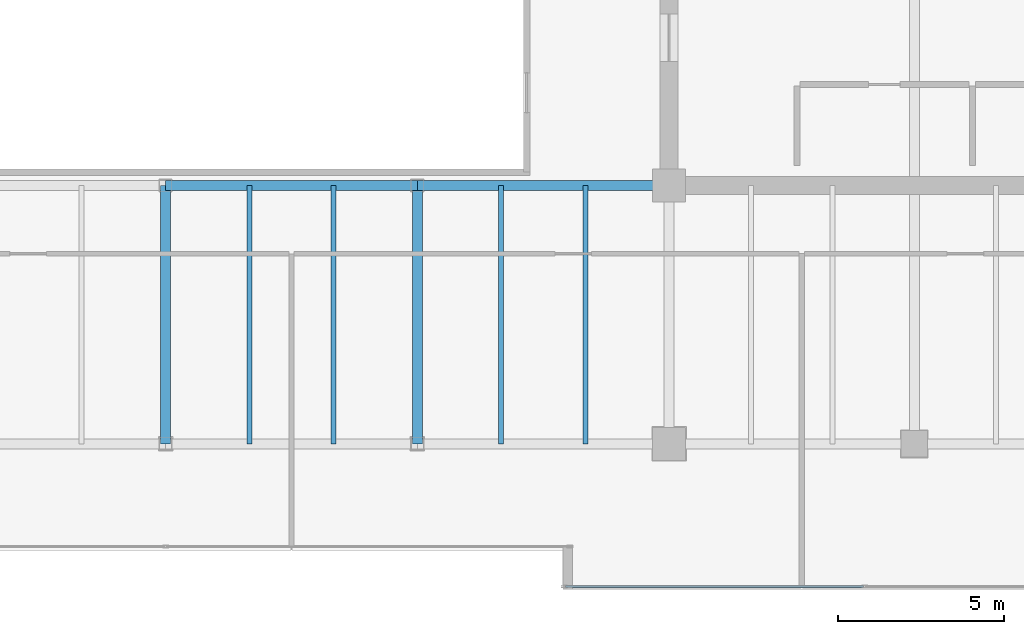
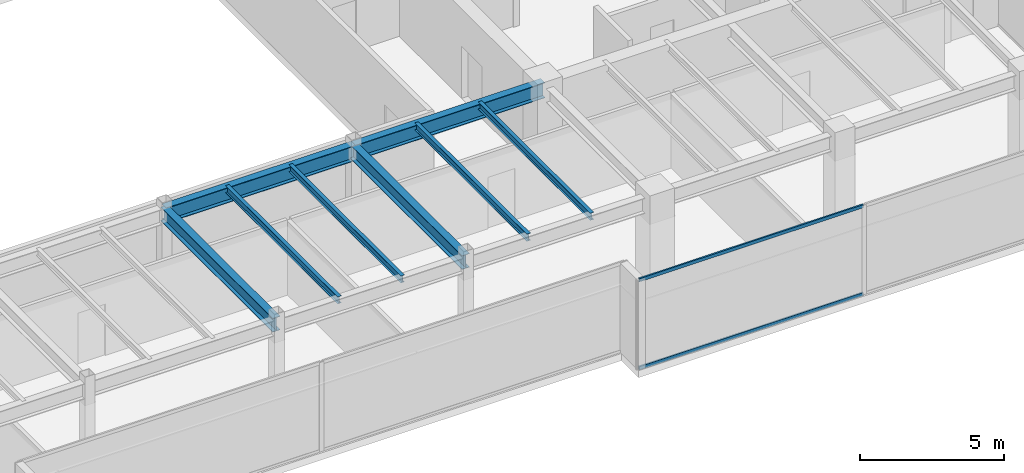
# One storey, part 12 of 35: 8 beams, 2 members, 1 element without a shape of its own.
"""IFC4 building model written with IfcOpenShell, lengths in metres."""

import ifcopenshell
import ifcopenshell.guid

model = None  # the IFC model being written
_history = None  # IfcOwnerHistory: only IFC2X3 demands one
_inside = {}  # id of a spatial element -> (the spatial element, [elements in it])
_under = {}  # id of a project, library or spatial element -> (it, [spatial elements below it])
_declared = {}  # id of a project -> (the project, [libraries it declares])
_typed = {}  # id of a type object -> (the type object, [elements of that type])
_made_of = {}  # id of a material, layer set ... -> (it, [elements and type objects made of it])


def new_model(schema):
    """Start an empty IFC model of exactly this schema.

    Asked for "IFC4X3", IfcOpenShell would pick the latest addendum, in which some entities
    have other attributes; the version numbers below select the first issue.
    IFC2X3 requires an IfcOwnerHistory on every rooted entity: one is made here for all.
    """
    global model, _history
    if schema == "IFC4X3":
        model = ifcopenshell.file(schema_version=(4, 3, 0, 0))
    else:
        model = ifcopenshell.file(schema=schema)
    _inside.clear()
    _under.clear()
    _declared.clear()
    _typed.clear()
    _made_of.clear()
    _history = None
    if model.schema == "IFC2X3":
        org = make("IfcOrganization", Name="unknown")
        user = make(
            "IfcPersonAndOrganization",
            ThePerson=make("IfcPerson", FamilyName="unknown"),
            TheOrganization=org,
        )
        app = make(
            "IfcApplication",
            ApplicationDeveloper=org,
            Version="unknown",
            ApplicationFullName="unknown",
            ApplicationIdentifier="unknown",
        )
        _history = make(
            "IfcOwnerHistory",
            OwningUser=user,
            OwningApplication=app,
            ChangeAction="ADDED",
            CreationDate=0,
        )
    return model


def make(cls, **values):
    """One entity of the class cls with the attributes given. An attribute that is None is left unset."""
    return model.create_entity(
        cls, **{name: value for name, value in values.items() if value is not None}
    )


def rooted(cls, **values):
    """An entity with a GlobalId (a new one), such as an element, a storey or a relation."""
    return make(cls, GlobalId=ifcopenshell.guid.new(), OwnerHistory=_history, **values)


def si_unit(unit_type, name, prefix=None):
    """IfcSIUnit, for example si_unit("LENGTHUNIT", "METRE", prefix="MILLI")."""
    return make("IfcSIUnit", UnitType=unit_type, Prefix=prefix, Name=name)


def assignment(units):
    """IfcUnitAssignment: the units of a project."""
    return None if units is None else make("IfcUnitAssignment", Units=units)


def point(xyz):
    """IfcCartesianPoint."""
    return None if xyz is None else make("IfcCartesianPoint", Coordinates=xyz)


def direction(xyz):
    """IfcDirection."""
    return None if xyz is None else make("IfcDirection", DirectionRatios=xyz)


def frame(location, z_axis=None, x_axis=None):
    """IfcAxis2Placement3D, a coordinate frame: its origin and axes. An axis left out is left unset."""
    return make(
        "IfcAxis2Placement3D",
        Location=point(location),
        Axis=direction(z_axis),
        RefDirection=direction(x_axis),
    )


def frame_2d(location, x_axis=None):
    """IfcAxis2Placement2D, a coordinate frame in the plane: its origin and x axis."""
    return make(
        "IfcAxis2Placement2D", Location=point(location), RefDirection=direction(x_axis)
    )


def origin():
    """The frame at (0, 0, 0) with its axes left unset."""
    return frame((0.0, 0.0, 0.0))


def origin_2d():
    """The frame at (0, 0) in the plane with its x axis left unset."""
    return frame_2d((0.0, 0.0))


def place(relative_to, where):
    """IfcLocalPlacement: puts the frame where relative to a parent placement (None: the world)."""
    return make(
        "IfcLocalPlacement", PlacementRelTo=relative_to, RelativePlacement=where
    )


def context(
    kind, dimensions, precision=None, world=None, true_north=None, identifier=None
):
    """IfcGeometricRepresentationContext, for example the 3D "Model" context."""
    return make(
        "IfcGeometricRepresentationContext",
        ContextIdentifier=identifier,
        ContextType=kind,
        CoordinateSpaceDimension=dimensions,
        Precision=precision,
        WorldCoordinateSystem=world,
        TrueNorth=true_north,
    )


def subcontext(parent, identifier, kind, view, scale=None):
    """IfcGeometricRepresentationSubContext, for example "Body" below "Model"."""
    return make(
        "IfcGeometricRepresentationSubContext",
        ContextIdentifier=identifier,
        ContextType=kind,
        ParentContext=parent,
        TargetScale=scale,
        TargetView=view,
    )


def project(units=None, contexts=None):
    """IfcProject with its units and contexts."""
    return rooted(
        "IfcProject",
        Name="project",
        RepresentationContexts=contexts,
        UnitsInContext=assignment(units),
    )


def spatial(cls, under=None, at=None, **own):
    """A site, building, storey or space (cls), placed at a placement, below another one or the project."""
    s = rooted(cls, ObjectPlacement=at, **own)
    if under is not None:
        _under.setdefault(under.id(), (under, []))[1].append(s)
    return s


def profile(cls, at=None, kind="AREA", **sizes):
    """A parametric profile (cls). Its sizes go by their IFC names, for example OverallWidth=200.0."""
    return make(cls, ProfileType=kind, Position=at, **sizes)


def hollow_rectangle(**sizes):
    """IfcRectangleHollowProfileDef."""
    return profile("IfcRectangleHollowProfileDef", **sizes)


def i_section(**sizes):
    """IfcIShapeProfileDef."""
    return profile("IfcIShapeProfileDef", **sizes)


def extrude(swept, where, along, depth):
    """IfcExtrudedAreaSolid: the profile swept, set in the frame where, extruded along a direction by depth."""
    return make(
        "IfcExtrudedAreaSolid",
        SweptArea=swept,
        Position=where,
        ExtrudedDirection=direction(along),
        Depth=depth,
    )


def shape(context_of_items, identifier, shape_type, items):
    """IfcShapeRepresentation: the items that make up one representation, for example the "Body"."""
    return make(
        "IfcShapeRepresentation",
        ContextOfItems=context_of_items,
        RepresentationIdentifier=identifier,
        RepresentationType=shape_type,
        Items=items,
    )


def source(mapping_origin, context_of_items, identifier, shape_type, items):
    """IfcRepresentationMap: a shape defined once, which mapped items show again and again."""
    return make(
        "IfcRepresentationMap",
        MappingOrigin=mapping_origin,
        MappedRepresentation=shape(context_of_items, identifier, shape_type, items),
    )


def transform(
    local_origin,
    x_axis=None,
    y_axis=None,
    z_axis=None,
    scale=None,
    scale2=None,
    scale3=None,
    uniform=True,
):
    """IfcCartesianTransformationOperator3D, or its non-uniform kind. x_axis, y_axis, z_axis: its Axis1, 2, 3."""
    if uniform:
        return make(
            "IfcCartesianTransformationOperator3D",
            Axis1=direction(x_axis),
            Axis2=direction(y_axis),
            LocalOrigin=point(local_origin),
            Scale=scale,
            Axis3=direction(z_axis),
        )
    return make(
        "IfcCartesianTransformationOperator3DnonUniform",
        Axis1=direction(x_axis),
        Axis2=direction(y_axis),
        LocalOrigin=point(local_origin),
        Scale=scale,
        Axis3=direction(z_axis),
        Scale2=scale2,
        Scale3=scale3,
    )


def mapped(mapping_source, mapping_target):
    """IfcMappedItem: shows the shape of a source again, moved by a transform."""
    return make(
        "IfcMappedItem", MappingSource=mapping_source, MappingTarget=mapping_target
    )


def material(Name=None, Category=None):
    """IfcMaterial."""
    return make("IfcMaterial", Name=Name, Category=Category)


def layer(
    of_material, thickness, ventilated=None, Name=None, Category=None, Priority=None
):
    """IfcMaterialLayer: one layer of a wall or slab, of a material (None: an air gap)."""
    return make(
        "IfcMaterialLayer",
        Material=of_material,
        LayerThickness=thickness,
        IsVentilated=ventilated,
        Name=Name,
        Category=Category,
        Priority=Priority,
    )


def layer_set(layers, Name=None):
    """IfcMaterialLayerSet."""
    return make("IfcMaterialLayerSet", MaterialLayers=layers, LayerSetName=Name)


def material_profile(
    of_material, cross_section, Name=None, Category=None, Priority=None
):
    """IfcMaterialProfile: a cross section and its material."""
    return make(
        "IfcMaterialProfile",
        Name=Name,
        Material=of_material,
        Profile=cross_section,
        Priority=Priority,
        Category=Category,
    )


def profile_set(profiles, Name=None, composite=None):
    """IfcMaterialProfileSet."""
    return make(
        "IfcMaterialProfileSet",
        Name=Name,
        MaterialProfiles=profiles,
        CompositeProfile=composite,
    )


def made_of(thing, what):
    """Note that an element or type object is made of a material, layer set ...; save() writes the relation."""
    if what is not None:
        _made_of.setdefault(what.id(), (what, []))[1].append(thing)
    return thing


def type_object(cls, material=None, **own):
    """A type object (cls), such as IfcWallType, which elements share."""
    return made_of(rooted(cls, **own), material)


def type_shapes(of_type, sources):
    """Give a type object the sources (RepresentationMaps) that its elements show as mapped items."""
    of_type.RepresentationMaps = sources


def element(
    cls,
    number,
    at=None,
    inside=None,
    cuts=None,
    type_object=None,
    material=None,
    context=None,
    identifier="Body",
    shape_type=None,
    held_by="IfcProductDefinitionShape",
    body=None,
    shapes=None,
    **own,
):
    """One element of the class cls, such as IfcWall. Its Tag is "e" and its number.

    at: its placement. inside: the storey or other place that contains it. cuts: it is an
    opening in that element (IfcRelVoidsElement). A single representation is given by context,
    identifier, shape_type and body (its items); several are given by shapes. held_by: the class
    of the entity that holds the representations. save() writes the other relations.
    """
    e = rooted(cls, Tag="e%d" % number, ObjectPlacement=at, **own)
    if body is not None:
        shapes = [shape(context, identifier, shape_type, body)]
    if shapes is not None:
        e.Representation = make(held_by, Representations=shapes)
    if inside is not None:
        _inside.setdefault(inside.id(), (inside, []))[1].append(e)
    if cuts is not None:
        rooted(
            "IfcRelVoidsElement", RelatingBuildingElement=cuts, RelatedOpeningElement=e
        )
    if type_object is not None:
        _typed.setdefault(type_object.id(), (type_object, []))[1].append(e)
    return made_of(e, material)


def aggregate(whole, parts):
    """IfcRelAggregates: a whole, such as a stair, and the parts it consists of."""
    return rooted("IfcRelAggregates", RelatingObject=whole, RelatedObjects=parts)


def save(model, path):
    """Write the relations noted so far, then the file.

    IfcRelAggregates (storeys below a building ...), IfcRelContainedInSpatialStructure (elements
    in a storey), IfcRelDefinesByType, IfcRelAssociatesMaterial and IfcRelDeclares: one each for
    every whole, place, type object, material and project.
    """
    for whole, parts in _under.values():
        aggregate(whole, parts)
    for where, things in _inside.values():
        rooted(
            "IfcRelContainedInSpatialStructure",
            RelatedElements=things,
            RelatingStructure=where,
        )
    for kind, things in _typed.values():
        rooted("IfcRelDefinesByType", RelatedObjects=things, RelatingType=kind)
    for what, things in _made_of.values():
        rooted("IfcRelAssociatesMaterial", RelatedObjects=things, RelatingMaterial=what)
    for by, libraries in _declared.values():
        rooted("IfcRelDeclares", RelatingContext=by, RelatedDefinitions=libraries)
    model.write(path)


model = new_model("IFC4")

# Units and contexts
model_context = context("Model", 3, precision=1e-05, world=origin(), true_north=direction((0.0, 1.0)))
body_context = subcontext(model_context, "Body", "Model", "MODEL_VIEW")
ifc_project = project(units=[si_unit("LENGTHUNIT", "METRE"), si_unit("AREAUNIT", "SQUARE_METRE"), si_unit("VOLUMEUNIT", "CUBIC_METRE"), si_unit("PLANEANGLEUNIT", "RADIAN"), si_unit("MASSUNIT", "GRAM", prefix="KILO")], contexts=[model_context])

# Site, building, storey
site_placement = place(None, origin())
site = spatial("IfcSite", under=ifc_project, at=site_placement, CompositionType="ELEMENT")
building_placement = place(site_placement, origin())
building = spatial("IfcBuilding", under=site, at=building_placement, Name="Haelvirn Gate Laboratories", CompositionType="ELEMENT")
storey_placement = place(building_placement, frame((0.0, 0.0, 221.89990234375)))
storey = spatial("IfcBuildingStorey", under=building, at=storey_placement, Name="L53", CompositionType="ELEMENT", Elevation=221.89990234375)

# Beams
ifc_material_1 = material(Name="Steel SM355", Category="steel")
ifc_material_profile_1 = material_profile(ifc_material_1, i_section(OverallWidth=0.14990234375, OverallDepth=0.300048828125, WebThickness=0.006591796875, FlangeThickness=0.009033203125, at=origin_2d()), Name="H-300x150x6.5x9")
ifc_profile_set_1 = profile_set([ifc_material_profile_1], Name="Steel SM355")
beam_type_1 = type_object("IfcBeamType", Name="BM-J-300", PredefinedType="JOIST", material=ifc_profile_set_1)
shared_shape_1 = source(origin(), body_context, "Body", "SweptSolid", [
    extrude(i_section(OverallWidth=0.14990234375, OverallDepth=0.300048828125, WebThickness=0.006591796875, FlangeThickness=0.009033203125, at=origin_2d()), origin(), (0.0, 0.0, 1.0), 7.800048828125),
])
type_shapes(beam_type_1, [shared_shape_1])
for number, where, z_axis, x_axis, name in (
    (1, (39.929931640625, 7.0, 3.650146484375), (0.0, 1.0, 0.0), (-1.0, 0.0, 0.0), "L53 Composite Lab Joist South X39.93"),
    (2, (42.469970703125, 7.0, 3.650146484375), (0.0, 1.0, 0.0), (-1.0, 0.0, 0.0), "L53 Composite Lab Joist South X42.47"),
    (3, (47.530029296875, 7.0, 3.650146484375), (0.0, 1.0, 0.0), (-1.0, 0.0, 0.0), "L53 Composite Lab Joist South X47.53"),
    (4, (50.070068359375, 7.0, 3.650146484375), (0.0, 1.0, 0.0), (-1.0, 0.0, 0.0), "L53 Composite Lab Joist South X50.07"),
):
    element("IfcBeam", number, at=place(storey_placement, frame(where, z_axis=z_axis, x_axis=x_axis)), inside=storey, type_object=beam_type_1, Name=name, PredefinedType="JOIST", context=body_context, shape_type="MappedRepresentation", body=[
        mapped(shared_shape_1, transform((0.0, 0.0, 0.0), scale=1.0)),
    ])
ifc_material_profile_2 = material_profile(ifc_material_1, i_section(OverallWidth=0.300048828125, OverallDepth=0.587890625, WebThickness=0.011962890625, FlangeThickness=0.02001953125, at=origin_2d()), Name="H-588x300x12x20")
ifc_profile_set_2 = profile_set([ifc_material_profile_2], Name="Steel SM355")
beam_type_2 = type_object("IfcBeamType", Name="BM-G-588", PredefinedType="BEAM", material=ifc_profile_set_2)
shared_shape_2 = source(origin(), body_context, "Body", "SweptSolid", [
    extrude(i_section(OverallWidth=0.300048828125, OverallDepth=0.587890625, WebThickness=0.011962890625, FlangeThickness=0.02001953125, at=origin_2d()), origin(), (0.0, 0.0, 1.0), 7.800048828125),
])
type_shapes(beam_type_2, [shared_shape_2])
for number, where, z_axis, x_axis, name in (
    (5, (37.39990234375, 7.0, 3.506103515625), (0.0, 1.0, 0.0), (-1.0, 0.0, 0.0), "L53 Frame Girder X37.4 (7.0-14.8)"),
    (6, (45.0, 7.0, 3.506103515625), (0.0, 1.0, 0.0), (-1.0, 0.0, 0.0), "L53 Frame Girder X45.0 (7.0-14.8)"),
):
    element("IfcBeam", number, at=place(storey_placement, frame(where, z_axis=z_axis, x_axis=x_axis)), inside=storey, type_object=beam_type_2, Name=name, PredefinedType="BEAM", context=body_context, shape_type="MappedRepresentation", body=[
        mapped(shared_shape_2, transform((0.0, 0.0, 0.0), scale=1.0)),
    ])
ifc_material_profile_3 = material_profile(ifc_material_1, i_section(OverallWidth=0.300048828125, OverallDepth=0.64990234375, WebThickness=0.012939453125, FlangeThickness=0.02197265625, at=origin_2d()), Name="H-650x300x13x22")
ifc_profile_set_3 = profile_set([ifc_material_profile_3], Name="Steel SM355")
beam_type_3 = type_object("IfcBeamType", Name="BM-G-650", PredefinedType="BEAM", material=ifc_profile_set_3)
shared_shape_3 = source(origin(), body_context, "Body", "SweptSolid", [
    extrude(i_section(OverallWidth=0.300048828125, OverallDepth=0.64990234375, WebThickness=0.012939453125, FlangeThickness=0.02197265625, at=origin_2d()), origin(), (0.0, 0.0, 1.0), 7.60009765625),
])
type_shapes(beam_type_3, [shared_shape_3])
for number, where, z_axis, x_axis, name in (
    (7, (37.39990234375, 14.800048828125, 3.47509765625), (1.0, 0.0, 0.0), (0.0, 1.0, 0.0), "L53 Primary Girder Y14.8 (37.4-45.0)"),
    (8, (45.0, 14.800048828125, 3.47509765625), (1.0, 0.0, 0.0), (0.0, 1.0, 0.0), "L53 Primary Girder Y14.8 (45.0-52.6)"),
):
    element("IfcBeam", number, at=place(storey_placement, frame(where, z_axis=z_axis, x_axis=x_axis)), inside=storey, type_object=beam_type_3, Name=name, PredefinedType="BEAM", context=body_context, shape_type="MappedRepresentation", body=[
        mapped(shared_shape_3, transform((0.0, 0.0, 0.0), scale=1.0)),
    ])

# Curtain wall, members
ifc_material_2 = material(Name="Anodised bronze unitised aluminium & triple low-E glass", Category="aluminium")
ifc_layer = layer(ifc_material_2, 0.176025390625, Name="CW-SYS-4")
ifc_layer_set = layer_set([ifc_layer], Name="Anodised bronze unitised aluminium & triple low-E glass")
curtain_wall_type = type_object("IfcCurtainWallType", Name="CW-SYS-4", PredefinedType="NOTDEFINED", material=ifc_layer_set)
curtain_wall_placement = place(storey_placement, origin())
curtain_wall = element("IfcCurtainWall", 9, at=curtain_wall_placement, inside=storey, type_object=curtain_wall_type, Name="L53 Unitised Curtain Wall CW-L53-P0-E04-1", PredefinedType="NOTDEFINED")
ifc_material_3 = material(Name="Extruded aluminium 6063-T6 (anodised bronze)", Category="aluminium")
ifc_material_profile_4 = material_profile(ifc_material_3, hollow_rectangle(XDim=0.06494140625, YDim=0.139892578125, WallThickness=0.00390625, at=origin_2d()), Name="CWT-140x65x4")
ifc_profile_set_4 = profile_set([ifc_material_profile_4], Name="Extruded aluminium 6063-T6 (anodised bronze)")
member_type = type_object("IfcMemberType", Name="CWT-T140", PredefinedType="USERDEFINED", material=ifc_profile_set_4)
shared_shape_4 = source(origin(), body_context, "Body", "SweptSolid", [
    extrude(hollow_rectangle(XDim=0.06494140625, YDim=0.139892578125, WallThickness=0.00390625, at=origin_2d()), origin(), (0.0, 0.0, 1.0), 8.9951171875),
])
type_shapes(member_type, [shared_shape_4])
member_1_placement = place(storey_placement, frame((49.469970703125, 2.699951171875, 0.03271484375), z_axis=(1.0, 0.0, 0.0), x_axis=(0.0, 1.0, 0.0)))
member_1 = element("IfcMember", 10, at=member_1_placement, type_object=member_type, Name="CW4 transom 1.1", ObjectType="TRANSOM", PredefinedType="USERDEFINED", context=body_context, shape_type="MappedRepresentation", body=[
    mapped(shared_shape_4, transform((0.0, 0.0, 0.0), scale=1.0)),
])
member_2_placement = place(storey_placement, frame((49.469970703125, 2.699951171875, 3.767578125), z_axis=(1.0, 0.0, 0.0), x_axis=(0.0, 1.0, 0.0)))
member_2 = element("IfcMember", 11, at=member_2_placement, type_object=member_type, Name="CW4 transom 1.2", ObjectType="TRANSOM", PredefinedType="USERDEFINED", context=body_context, shape_type="MappedRepresentation", body=[
    mapped(shared_shape_4, transform((0.0, 0.0, 0.0), scale=1.0)),
])
aggregate(curtain_wall, [member_1, member_2])

save(model, "model.ifc")
